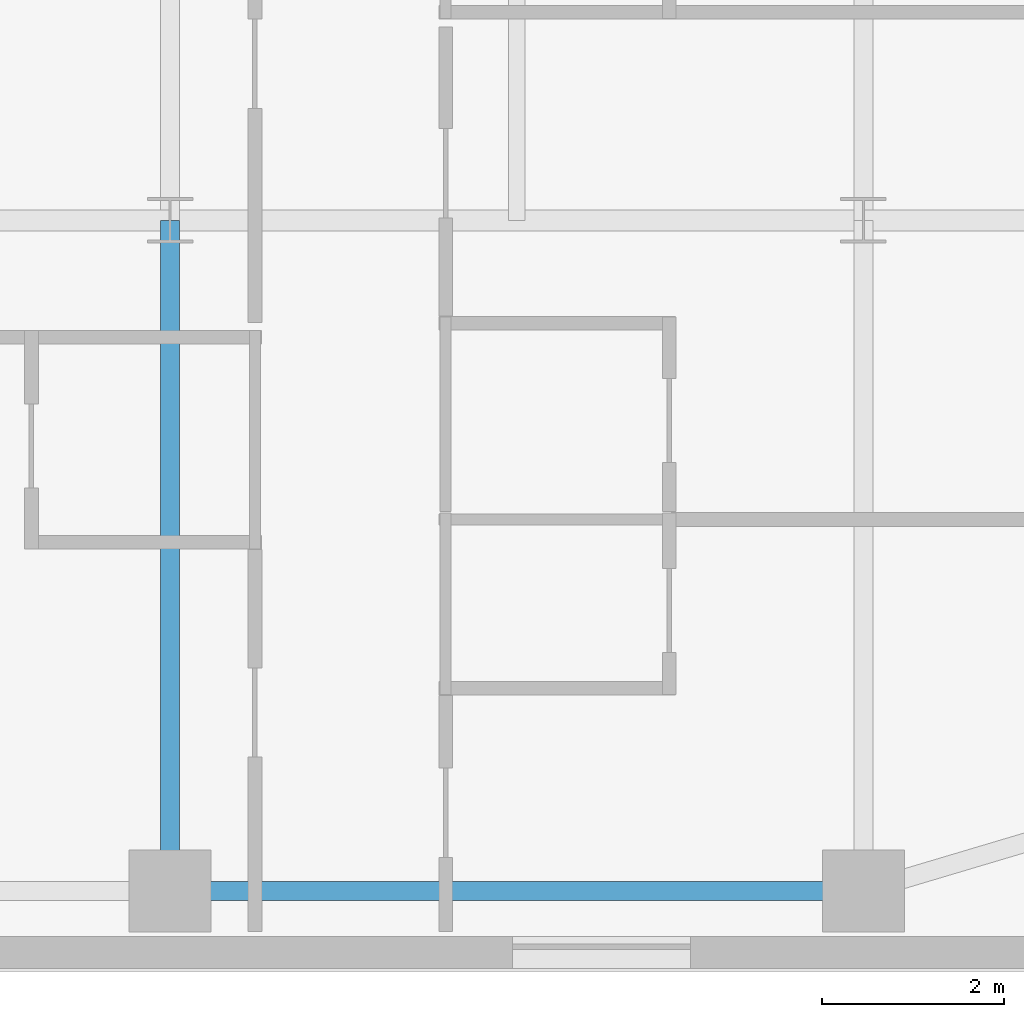
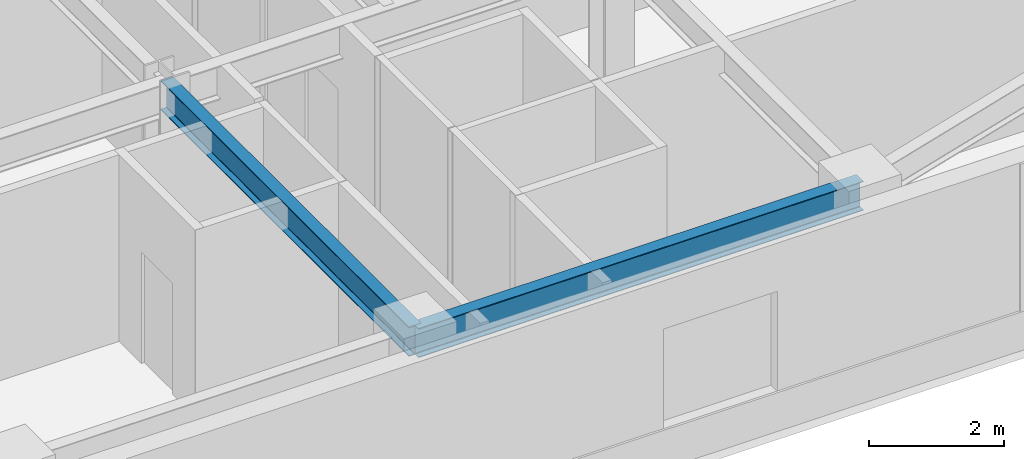
# One storey, part 8 of 25: 2 beams.
"""IFC4 building model written with IfcOpenShell, lengths in metres."""

from ifc_helpers import new_model, si_unit, direction, frame, origin, origin_2d, place, context, subcontext, project, spatial, i_section, extrude, source, transform, mapped, material, material_profile, profile_set, type_object, type_shapes, element, save


model = new_model("IFC4")

# Units and contexts
model_context = context("Model", 3, precision=1e-05, world=origin(), true_north=direction((0.0, 1.0)))
body_context = subcontext(model_context, "Body", "Model", "MODEL_VIEW")
ifc_project = project(units=[si_unit("LENGTHUNIT", "METRE"), si_unit("AREAUNIT", "SQUARE_METRE"), si_unit("VOLUMEUNIT", "CUBIC_METRE"), si_unit("PLANEANGLEUNIT", "RADIAN"), si_unit("MASSUNIT", "GRAM", prefix="KILO")], contexts=[model_context])

# Site, building, storey
site_placement = place(None, origin())
site = spatial("IfcSite", under=ifc_project, at=site_placement, CompositionType="ELEMENT")
building_placement = place(site_placement, origin())
building = spatial("IfcBuilding", under=site, at=building_placement, Name="Tolvann Quenvar Hotel", CompositionType="ELEMENT")
storey_placement = place(building_placement, frame((0.0, 0.0, 111.550048828125)))
storey = spatial("IfcBuildingStorey", under=building, at=storey_placement, Name="L28", CompositionType="ELEMENT", Elevation=111.550048828125)

# Beams
ifc_material = material(Name="Steel Grade 350", Category="steel")
ifc_material_profile_1 = material_profile(ifc_material, i_section(OverallWidth=0.208984375, OverallDepth=0.528076171875, WebThickness=0.009521484375, FlangeThickness=0.01318359375, FilletRadius=0.013916015625, at=origin_2d()), Name="530UB82")
ifc_profile_set_1 = profile_set([ifc_material_profile_1], Name="Steel Grade 350")
beam_type_1 = type_object("IfcBeamType", Name="BM_SPAND_530UB82", PredefinedType="SPANDREL", material=ifc_profile_set_1)
shared_shape_1 = source(origin(), body_context, "Body", "SweptSolid", [
    extrude(i_section(OverallWidth=0.208984375, OverallDepth=0.528076171875, WebThickness=0.009521484375, FlangeThickness=0.01318359375, FilletRadius=0.013916015625, at=origin_2d()), origin(), (0.0, 0.0, 1.0), 7.599853515625),
])
type_shapes(beam_type_1, [shared_shape_1])
beam_1_placement = place(storey_placement, frame((41.800048828125, 0.85009765625, 3.10595703125), z_axis=(1.0, 0.0, 0.0), x_axis=(0.0, 1.0, 0.0)))
element("IfcBeam", 1, at=beam_1_placement, inside=storey, type_object=beam_type_1, Name="BM-L28-EW-2-H2-I2", PredefinedType="SPANDREL", context=body_context, shape_type="MappedRepresentation", body=[
    mapped(shared_shape_1, transform((0.0, 0.0, 0.0), x_axis=(1.0, 0.0, 0.0), y_axis=(0.0, 1.0, 0.0), z_axis=(0.0, 0.0, 1.0), scale=1.0)),
])
ifc_material_profile_2 = material_profile(ifc_material, i_section(OverallWidth=0.208984375, OverallDepth=0.532958984375, WebThickness=0.01025390625, FlangeThickness=0.015625, FilletRadius=0.013916015625, at=origin_2d()), Name="530UB92")
ifc_profile_set_2 = profile_set([ifc_material_profile_2], Name="Steel Grade 350")
beam_type_2 = type_object("IfcBeamType", Name="BM_GIRD_530UB92", PredefinedType="BEAM", material=ifc_profile_set_2)
shared_shape_2 = source(origin(), body_context, "Body", "SweptSolid", [
    extrude(i_section(OverallWidth=0.208984375, OverallDepth=0.532958984375, WebThickness=0.01025390625, FlangeThickness=0.015625, FilletRadius=0.013916015625, at=origin_2d()), origin(), (0.0, 0.0, 1.0), 7.349853515625),
])
type_shapes(beam_type_2, [shared_shape_2])
beam_2_placement = place(storey_placement, frame((41.800048828125, 0.85009765625, 3.103515625), z_axis=(0.0, 1.0, 0.0), x_axis=(-1.0, 0.0, 0.0)))
element("IfcBeam", 2, at=beam_2_placement, inside=storey, type_object=beam_type_2, Name="BM-L28-NS-H2-H3", PredefinedType="BEAM", context=body_context, shape_type="MappedRepresentation", body=[
    mapped(shared_shape_2, transform((0.0, 0.0, 0.0), x_axis=(1.0, 0.0, 0.0), y_axis=(0.0, 1.0, 0.0), z_axis=(0.0, 0.0, 1.0), scale=1.0)),
])

save(model, "model.ifc")
